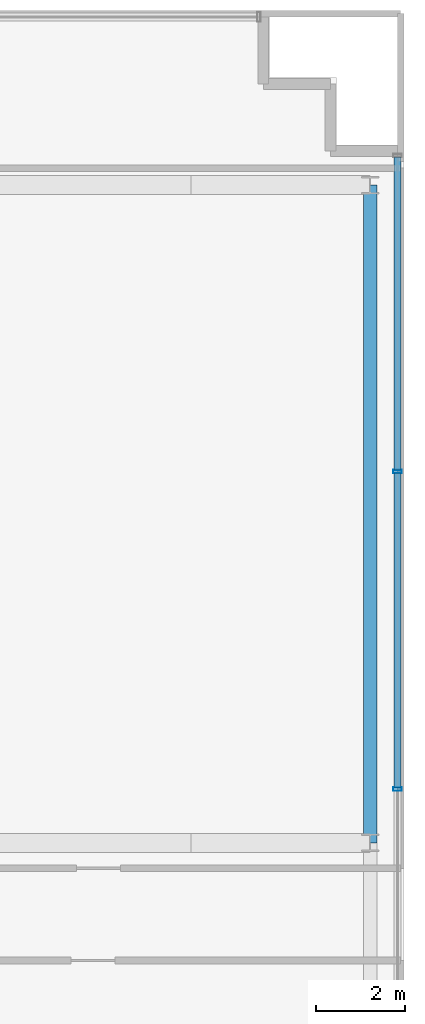
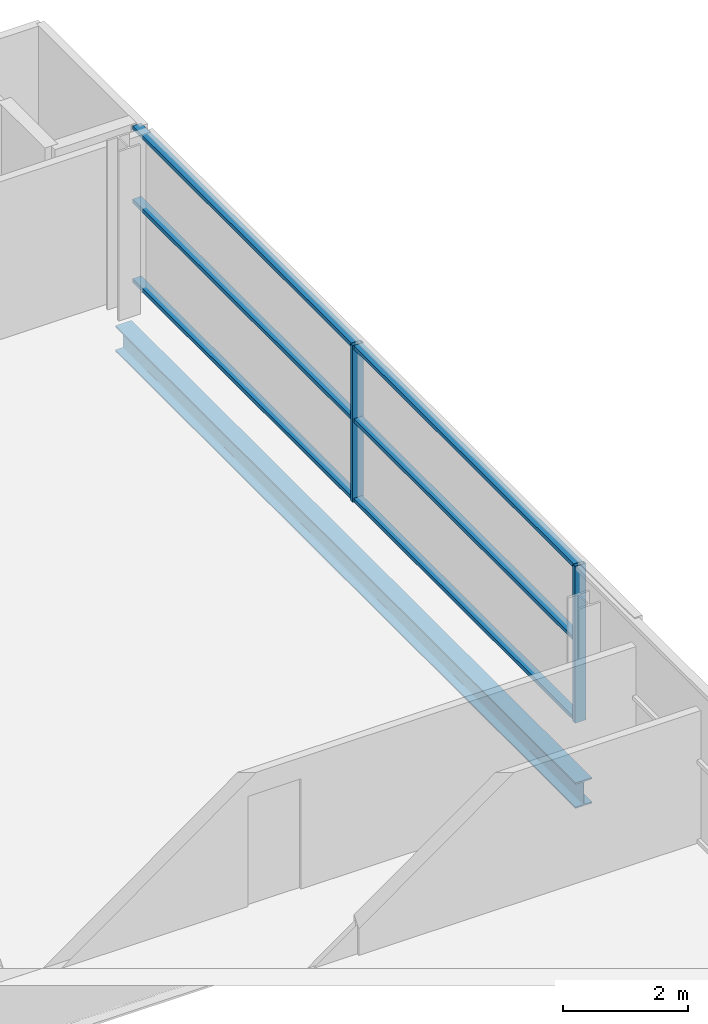
# One storey, part 9 of 23: 8 members, 1 beam, 1 element without a shape of its own.
"""IFC4 building model written with IfcOpenShell, lengths in metres."""

from ifc_helpers import new_model, si_unit, direction, frame, origin, origin_2d, place, context, subcontext, project, spatial, hollow_rectangle, i_section, extrude, source, transform, mapped, material, layer, layer_set, material_profile, profile_set, type_object, element, aggregate, save


model = new_model("IFC4")

# Units and contexts
model_context = context("Model", 3, precision=1e-05, world=origin(), true_north=direction((0.0, 1.0)))
body_context = subcontext(model_context, "Body", "Model", "MODEL_VIEW")
ifc_project = project(units=[si_unit("LENGTHUNIT", "METRE"), si_unit("AREAUNIT", "SQUARE_METRE"), si_unit("VOLUMEUNIT", "CUBIC_METRE"), si_unit("PLANEANGLEUNIT", "RADIAN"), si_unit("MASSUNIT", "GRAM", prefix="KILO")], contexts=[model_context])

# Site, building, storey
site_placement = place(None, origin())
site = spatial("IfcSite", under=ifc_project, at=site_placement, CompositionType="ELEMENT")
building_placement = place(site_placement, origin())
building = spatial("IfcBuilding", under=site, at=building_placement, Name="Zarnakvel Exchange Tower", CompositionType="ELEMENT")
storey_placement = place(building_placement, frame((0.0, 0.0, 172.60009765625)))
storey = spatial("IfcBuildingStorey", under=building, at=storey_placement, Name="L48", CompositionType="ELEMENT", Elevation=172.60009765625)

# Beam
ifc_material_1 = material(Name="Steel S355", Category="steel")
ifc_material_profile_1 = material_profile(ifc_material_1, i_section(OverallWidth=0.300048828125, OverallDepth=0.5, WebThickness=0.014404296875, FlangeThickness=0.028076171875, FilletRadius=0.027099609375, at=origin_2d()))
ifc_profile_set_1 = profile_set([ifc_material_profile_1], Name="Steel S355")
beam_type = type_object("IfcBeamType", Name="SP-02", PredefinedType="SPANDREL", material=ifc_profile_set_1)
beam_placement = place(storey_placement, frame((25.85009765625, -1.199951171875, -0.47509765625), z_axis=(0.0, 1.0, 0.0), x_axis=(-1.0, 0.0, 0.0)))
element("IfcBeam", 1, at=beam_placement, inside=storey, type_object=beam_type, Name="L48 Tower N-S Frame Beam", PredefinedType="SPANDREL", context=body_context, shape_type="SweptSolid", body=[
    extrude(i_section(OverallWidth=0.300048828125, OverallDepth=0.5, WebThickness=0.014404296875, FlangeThickness=0.028076171875, FilletRadius=0.027099609375, at=origin_2d()), origin(), (0.0, 0.0, 1.0), 14.699951171875),
])

# Curtain wall, members
ifc_material_2 = material(Name="Architectural Bronze Anodised Aluminium", Category="aluminium")
ifc_layer = layer(ifc_material_2, 0.199951171875)
ifc_layer_set = layer_set([ifc_layer], Name="Architectural Bronze Anodised Aluminium")
curtain_wall_type = type_object("IfcCurtainWallType", Name="CW-04", PredefinedType="NOTDEFINED", material=ifc_layer_set)
curtain_wall_placement = place(storey_placement, origin())
curtain_wall = element("IfcCurtainWall", 2, at=curtain_wall_placement, inside=storey, type_object=curtain_wall_type, Name="L48 Curtain Wall CW-L48-E1 (CW-04)", PredefinedType="NOTDEFINED")
ifc_material_profile_2 = material_profile(ifc_material_2, hollow_rectangle(XDim=0.199951171875, YDim=0.074951171875, WallThickness=0.0048828125, at=origin_2d()))
ifc_profile_set_2 = profile_set([ifc_material_profile_2], Name="Architectural Bronze Anodised Aluminium")
member_type_1 = type_object("IfcMemberType", Name="CWM-04", PredefinedType="MULLION", material=ifc_profile_set_2)
shared_shape_1 = source(origin(), body_context, "Body", "SweptSolid", [
    extrude(hollow_rectangle(XDim=0.199951171875, YDim=0.074951171875, WallThickness=0.0048828125, at=origin_2d()), origin(), (0.0, 0.0, 1.0), 3.054931640625),
])
member_1_placement = place(storey_placement, frame((26.4599609375, 0.0, 0.0), z_axis=(0.0, 0.0, 1.0), x_axis=(-1.0, 0.0, 0.0)))
member_1 = element("IfcMember", 3, at=member_1_placement, type_object=member_type_1, Name="CW-04 mullion 3", PredefinedType="MULLION", context=body_context, shape_type="MappedRepresentation", body=[
    mapped(shared_shape_1, transform((0.0, 0.0, 0.0), x_axis=(1.0, 0.0, 0.0), y_axis=(0.0, 1.0, 0.0), z_axis=(0.0, 0.0, 1.0), scale=1.0)),
])
member_2_placement = place(storey_placement, frame((26.4599609375, 7.10009765625, 0.0), z_axis=(0.0, 0.0, 1.0), x_axis=(-1.0, 0.0, 0.0)))
member_2 = element("IfcMember", 4, at=member_2_placement, type_object=member_type_1, Name="CW-04 mullion 4", PredefinedType="MULLION", context=body_context, shape_type="MappedRepresentation", body=[
    mapped(shared_shape_1, transform((0.0, 0.0, 0.0), x_axis=(1.0, 0.0, 0.0), y_axis=(0.0, 1.0, 0.0), z_axis=(0.0, 0.0, 1.0), scale=1.0)),
])
ifc_material_profile_3 = material_profile(ifc_material_2, hollow_rectangle(XDim=0.159912109375, YDim=0.074951171875, WallThickness=0.00390625, at=origin_2d()))
ifc_profile_set_3 = profile_set([ifc_material_profile_3], Name="Architectural Bronze Anodised Aluminium")
member_type_2 = type_object("IfcMemberType", Name="CWT-04", PredefinedType="USERDEFINED", material=ifc_profile_set_3)
shared_shape_2 = source(origin(), body_context, "Body", "SweptSolid", [
    extrude(hollow_rectangle(XDim=0.159912109375, YDim=0.074951171875, WallThickness=0.00390625, at=origin_2d()), origin(), (0.0, 0.0, 1.0), 6.987548828125),
])
member_3_placement = place(storey_placement, frame((26.4599609375, 7.137451171875, 0.037353515625), z_axis=(0.0, 1.0, 0.0), x_axis=(-1.0, 0.0, 0.0)))
member_3 = element("IfcMember", 5, at=member_3_placement, type_object=member_type_2, Name="CW-04 transom 4.1", ObjectType="TRANSOM", PredefinedType="USERDEFINED", context=body_context, shape_type="MappedRepresentation", body=[
    mapped(shared_shape_2, transform((0.0, 0.0, 0.0), x_axis=(1.0, 0.0, 0.0), y_axis=(0.0, 1.0, 0.0), z_axis=(0.0, 0.0, 1.0), scale=1.0)),
])
member_4_placement = place(storey_placement, frame((26.4599609375, 7.137451171875, 1.588623046875), z_axis=(0.0, 1.0, 0.0), x_axis=(-1.0, 0.0, 0.0)))
member_4 = element("IfcMember", 6, at=member_4_placement, type_object=member_type_2, Name="CW-04 transom 4.2", ObjectType="TRANSOM", PredefinedType="USERDEFINED", context=body_context, shape_type="MappedRepresentation", body=[
    mapped(shared_shape_2, transform((0.0, 0.0, 0.0), x_axis=(1.0, 0.0, 0.0), y_axis=(0.0, 1.0, 0.0), z_axis=(0.0, 0.0, 1.0), scale=1.0)),
])
member_5_placement = place(storey_placement, frame((26.4599609375, 7.137451171875, 3.017333984375), z_axis=(0.0, 1.0, 0.0), x_axis=(-1.0, 0.0, 0.0)))
member_5 = element("IfcMember", 7, at=member_5_placement, type_object=member_type_2, Name="CW-04 transom 4.3", ObjectType="TRANSOM", PredefinedType="USERDEFINED", context=body_context, shape_type="MappedRepresentation", body=[
    mapped(shared_shape_2, transform((0.0, 0.0, 0.0), x_axis=(1.0, 0.0, 0.0), y_axis=(0.0, 1.0, 0.0), z_axis=(0.0, 0.0, 1.0), scale=1.0)),
])
shared_shape_3 = source(origin(), body_context, "Body", "SweptSolid", [
    extrude(hollow_rectangle(XDim=0.159912109375, YDim=0.074951171875, WallThickness=0.00390625, at=origin_2d()), origin(), (0.0, 0.0, 1.0), 7.02490234375),
])
member_6_placement = place(storey_placement, frame((26.4599609375, 0.03759765625, 0.037353515625), z_axis=(0.0, 1.0, 0.0), x_axis=(-1.0, 0.0, 0.0)))
member_6 = element("IfcMember", 8, at=member_6_placement, type_object=member_type_2, Name="CW-04 transom 3.1", ObjectType="TRANSOM", PredefinedType="USERDEFINED", context=body_context, shape_type="MappedRepresentation", body=[
    mapped(shared_shape_3, transform((0.0, 0.0, 0.0), x_axis=(1.0, 0.0, 0.0), y_axis=(0.0, 1.0, 0.0), z_axis=(0.0, 0.0, 1.0), scale=1.0)),
])
member_7_placement = place(storey_placement, frame((26.4599609375, 0.03759765625, 1.588623046875), z_axis=(0.0, 1.0, 0.0), x_axis=(-1.0, 0.0, 0.0)))
member_7 = element("IfcMember", 9, at=member_7_placement, type_object=member_type_2, Name="CW-04 transom 3.2", ObjectType="TRANSOM", PredefinedType="USERDEFINED", context=body_context, shape_type="MappedRepresentation", body=[
    mapped(shared_shape_3, transform((0.0, 0.0, 0.0), x_axis=(1.0, 0.0, 0.0), y_axis=(0.0, 1.0, 0.0), z_axis=(0.0, 0.0, 1.0), scale=1.0)),
])
member_8_placement = place(storey_placement, frame((26.4599609375, 0.03759765625, 3.017333984375), z_axis=(0.0, 1.0, 0.0), x_axis=(-1.0, 0.0, 0.0)))
member_8 = element("IfcMember", 10, at=member_8_placement, type_object=member_type_2, Name="CW-04 transom 3.3", ObjectType="TRANSOM", PredefinedType="USERDEFINED", context=body_context, shape_type="MappedRepresentation", body=[
    mapped(shared_shape_3, transform((0.0, 0.0, 0.0), x_axis=(1.0, 0.0, 0.0), y_axis=(0.0, 1.0, 0.0), z_axis=(0.0, 0.0, 1.0), scale=1.0)),
])
aggregate(curtain_wall, [member_1, member_2, member_6, member_7, member_8, member_3, member_4, member_5])

save(model, "model.ifc")
